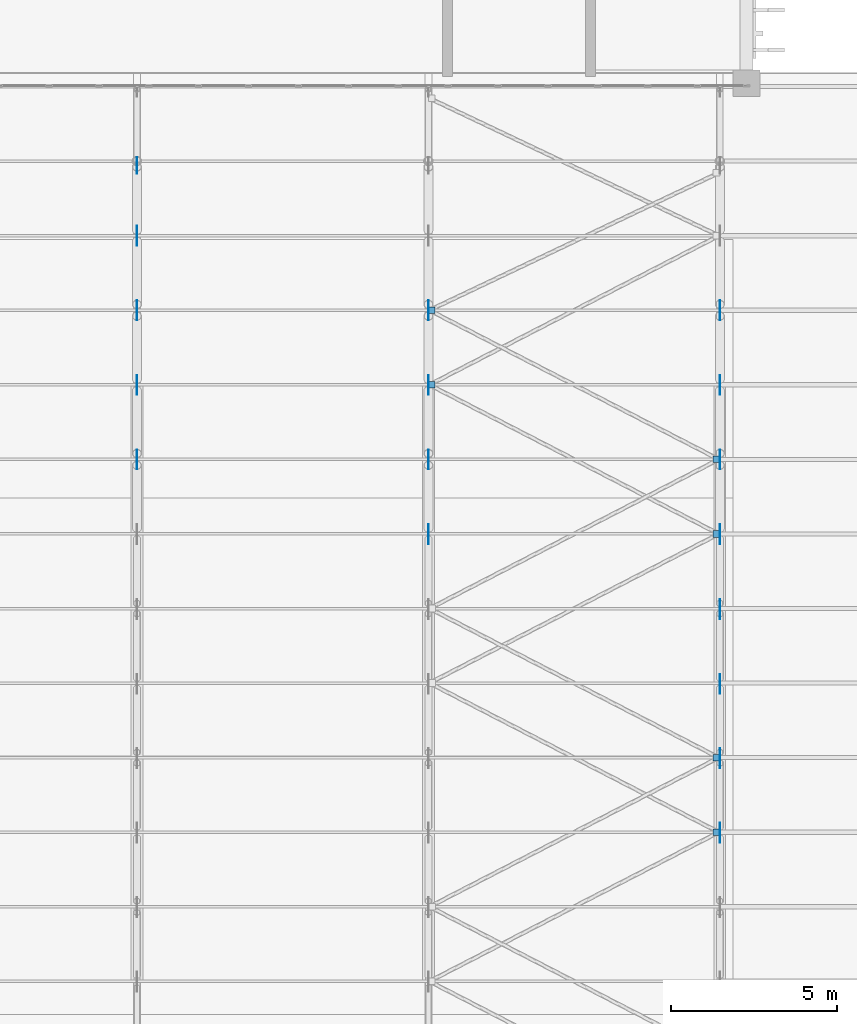
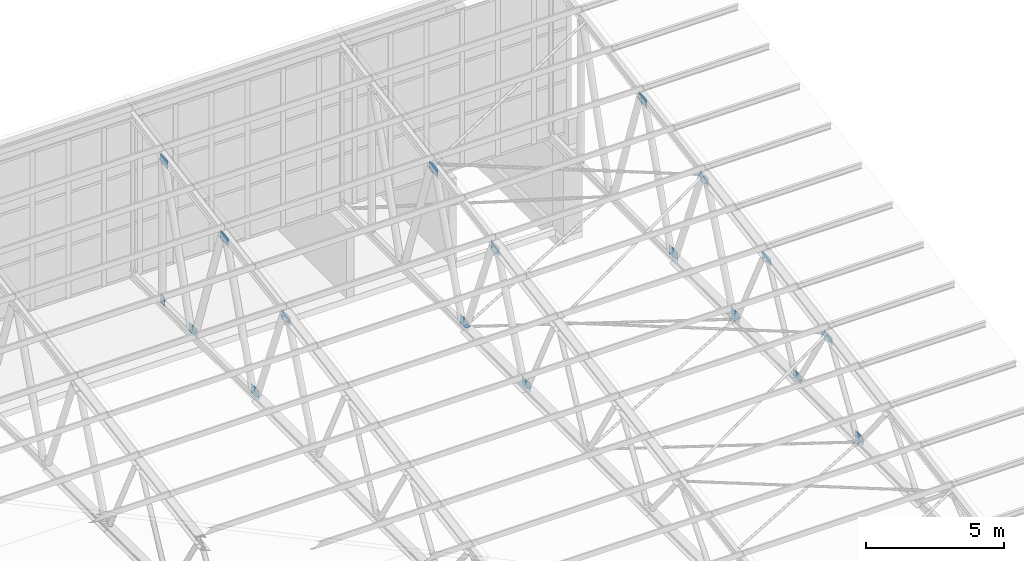
# One storey, part 155 of 185: 24 discrete accessories.
"""IFC4 building model written with IfcOpenShell, lengths in metres."""

from ifc_helpers import new_model, si_unit, direction, frame, origin, origin_2d, place, context, subcontext, project, spatial, rectangle, extrude, material, layer, layer_set, type_object, element, save


model = new_model("IFC4")

# Units and contexts
model_context = context("Model", 3, precision=1e-05, world=origin(), true_north=direction((0.0, 1.0)))
body_context = subcontext(model_context, "Body", "Model", "MODEL_VIEW")
ifc_project = project(units=[si_unit("LENGTHUNIT", "METRE"), si_unit("AREAUNIT", "SQUARE_METRE"), si_unit("VOLUMEUNIT", "CUBIC_METRE"), si_unit("PLANEANGLEUNIT", "RADIAN"), si_unit("MASSUNIT", "GRAM", prefix="KILO")], contexts=[model_context])

# Site, building, storey
site_placement = place(None, origin())
site = spatial("IfcSite", under=ifc_project, at=site_placement, CompositionType="ELEMENT")
building_placement = place(site_placement, origin())
building = spatial("IfcBuilding", under=site, at=building_placement, Name="Opaline Strait Convention Centre", CompositionType="ELEMENT")
storey_placement = place(building_placement, frame((0.0, 0.0, 6.0)))
storey = spatial("IfcBuildingStorey", under=building, at=storey_placement, Name="L01", CompositionType="ELEMENT", Elevation=6.0)

# Discrete accessories
ifc_material = material(Name="Steel Q355B", Category="steel")
ifc_layer_1 = layer(ifc_material, 0.014892578125)
ifc_layer_set_1 = layer_set([ifc_layer_1], Name="Steel Q355B")
discrete_accessory_type_1 = type_object("IfcDiscreteAccessoryType", Name="Brace gusset plate 200 x 200 x 15", PredefinedType="USERDEFINED", material=ifc_layer_set_1)
for number, where, z_axis, x_axis, name in (
    (1, (341.531982421875, 53.925048828125, 4.49267578125), (0.0, 0.0, 1.0), (1.0, 0.0, 0.0), "BNP8 roof brace gusset plate end bay 2 bottom plane"),
    (2, (350.093994140625, 40.46240234375, 4.49267578125), (0.0, 0.0, 1.0), (1.0, 0.0, 0.0), "BNP8 roof brace gusset plate end bay 2 bottom plane"),
    (3, (350.093994140625, 49.4375, 4.49267578125), (0.0, 0.0, 1.0), (1.0, 0.0, 0.0), "BNP8 roof brace gusset plate end bay 2 bottom plane"),
    (4, (341.531982421875, 56.168701171875, 10.3359375), (0.0, 0.0, 1.0), (1.0, 0.0, 0.0), "BNP8 roof brace gusset plate end bay 2 top plane"),
    (5, (350.093994140625, 42.706298828125, 7.9619140625), (0.0, 0.0, 1.0), (1.0, 0.0, 0.0), "BNP8 roof brace gusset plate end bay 2 top plane"),
    (6, (350.093994140625, 51.68115234375, 9.54443359375), (0.0, 0.0, 1.0), (1.0, 0.0, 0.0), "BNP8 roof brace gusset plate end bay 2 top plane"),
):
    element("IfcDiscreteAccessory", number, at=place(storey_placement, frame(where, z_axis=z_axis, x_axis=x_axis)), inside=storey, type_object=discrete_accessory_type_1, Name=name, ObjectType="NODE HUB", PredefinedType="USERDEFINED", context=body_context, shape_type="SweptSolid", body=[
        extrude(rectangle(XDim=0.199951171875, YDim=0.199951171875, at=origin_2d()), origin(), (0.0, 0.0, 1.0), 0.014892578125),
    ])
ifc_layer_2 = layer(ifc_material, 0.014892578125)
ifc_layer_set_2 = layer_set([ifc_layer_2], Name="Steel Q355B")
discrete_accessory_type_2 = type_object("IfcDiscreteAccessoryType", Name="Truss node plate 300 x 400 x 15", PredefinedType="USERDEFINED", material=ifc_layer_set_2)
discrete_accessory_1_placement = place(storey_placement, frame((332.656982421875, 60.626220703125, 4.4951171875), z_axis=(0.0, 0.0, 1.0), x_axis=(1.0, 0.0, 0.0)))
element("IfcDiscreteAccessory", 7, at=discrete_accessory_1_placement, inside=storey, type_object=discrete_accessory_type_2, Name="BNP4 truss node plate line 6 bottom node", ObjectType="NODE HUB", PredefinedType="USERDEFINED", context=body_context, shape_type="SweptSolid", body=[
    extrude(rectangle(XDim=0.014892578125, YDim=0.300048828125, at=origin_2d()), origin(), (0.0, 0.0, 1.0), 0.39990234375),
])
ifc_layer_3 = layer(ifc_material, 0.014892578125)
ifc_layer_set_3 = layer_set([ifc_layer_3], Name="Steel Q355B")
discrete_accessory_type_3 = type_object("IfcDiscreteAccessoryType", Name="Truss node plate 500 x 400 x 15", PredefinedType="USERDEFINED", material=ifc_layer_set_3)
discrete_accessory_2_placement = place(storey_placement, frame((332.656982421875, 60.5263671875, 10.7138671875), z_axis=(0.0, 0.0, 1.0), x_axis=(1.0, 0.0, 0.0)))
element("IfcDiscreteAccessory", 8, at=discrete_accessory_2_placement, inside=storey, type_object=discrete_accessory_type_3, Name="BNP7 truss node plate line 6 top node", ObjectType="NODE HUB", PredefinedType="USERDEFINED", context=body_context, shape_type="SweptSolid", body=[
    extrude(rectangle(XDim=0.014892578125, YDim=0.5, at=origin_2d()), origin(), (0.0, 0.0, 1.0), 0.39990234375),
])
ifc_layer_4 = layer(ifc_material, 0.014892578125)
ifc_layer_set_4 = layer_set([ifc_layer_4], Name="Steel Q355B")
discrete_accessory_type_4 = type_object("IfcDiscreteAccessoryType", Name="Truss node plate 600 x 350 x 15", PredefinedType="USERDEFINED", material=ifc_layer_set_4)
for number, where, z_axis, x_axis, name in (
    (9, (350.199951171875, 40.441650390625, 4.52001953125), (0.0, 0.0, 1.0), (1.0, 0.0, 0.0), "BNP2 truss node plate line 8 bottom node"),
    (10, (350.199951171875, 44.92236328125, 4.52001953125), (0.0, 0.0, 1.0), (1.0, 0.0, 0.0), "BNP2 truss node plate line 8 bottom node"),
    (11, (350.199951171875, 42.6845703125, 7.5927734375), (0.0, 0.0, 1.0), (1.0, 0.0, 0.0), "BNP2 truss node plate line 8 top node"),
    (12, (350.199951171875, 47.165771484375, 8.383056640625), (0.0, 0.0, 1.0), (1.0, 0.0, 0.0), "BNP2 truss node plate line 8 top node"),
):
    element("IfcDiscreteAccessory", number, at=place(storey_placement, frame(where, z_axis=z_axis, x_axis=x_axis)), inside=storey, type_object=discrete_accessory_type_4, Name=name, ObjectType="NODE HUB", PredefinedType="USERDEFINED", context=body_context, shape_type="SweptSolid", body=[
        extrude(rectangle(XDim=0.014892578125, YDim=0.60009765625, at=origin_2d()), origin(), (0.0, 0.0, 1.0), 0.35009765625),
    ])
ifc_layer_5 = layer(ifc_material, 0.014892578125)
ifc_layer_set_5 = layer_set([ifc_layer_5], Name="Steel Q355B")
discrete_accessory_type_5 = type_object("IfcDiscreteAccessoryType", Name="Truss node plate 600 x 400 x 15", PredefinedType="USERDEFINED", material=ifc_layer_set_5)
for number, where, z_axis, x_axis, name in (
    (13, (332.656982421875, 53.91943359375, 4.4951171875), (0.0, 0.0, 1.0), (1.0, 0.0, 0.0), "BNP3 truss node plate line 6 bottom node"),
    (14, (332.656982421875, 58.4052734375, 4.4951171875), (0.0, 0.0, 1.0), (1.0, 0.0, 0.0), "BNP3 truss node plate line 6 bottom node"),
    (15, (332.656982421875, 51.67822265625, 9.15380859375), (0.0, 0.0, 1.0), (1.0, 0.0, 0.0), "BNP3 truss node plate line 6 top node"),
    (16, (332.656982421875, 56.1630859375, 9.944580078125), (0.0, 0.0, 1.0), (1.0, 0.0, 0.0), "BNP3 truss node plate line 6 top node"),
    (17, (341.4287109375, 49.434814453125, 4.4951171875), (0.0, 0.0, 1.0), (1.0, 0.0, 0.0), "BNP3 truss node plate line 7 bottom node"),
    (18, (341.4287109375, 53.91943359375, 4.4951171875), (0.0, 0.0, 1.0), (1.0, 0.0, 0.0), "BNP3 truss node plate line 7 bottom node"),
    (19, (341.4287109375, 51.67822265625, 9.15380859375), (0.0, 0.0, 1.0), (1.0, 0.0, 0.0), "BNP3 truss node plate line 7 top node"),
    (20, (341.4287109375, 56.1630859375, 9.944580078125), (0.0, 0.0, 1.0), (1.0, 0.0, 0.0), "BNP3 truss node plate line 7 top node"),
    (21, (350.199951171875, 49.434814453125, 4.4951171875), (0.0, 0.0, 1.0), (1.0, 0.0, 0.0), "BNP3 truss node plate line 8 bottom node"),
    (22, (350.199951171875, 53.91943359375, 4.4951171875), (0.0, 0.0, 1.0), (1.0, 0.0, 0.0), "BNP3 truss node plate line 8 bottom node"),
    (23, (350.199951171875, 51.67822265625, 9.15380859375), (0.0, 0.0, 1.0), (1.0, 0.0, 0.0), "BNP3 truss node plate line 8 top node"),
    (24, (350.199951171875, 56.1630859375, 9.944580078125), (0.0, 0.0, 1.0), (1.0, 0.0, 0.0), "BNP3 truss node plate line 8 top node"),
):
    element("IfcDiscreteAccessory", number, at=place(storey_placement, frame(where, z_axis=z_axis, x_axis=x_axis)), inside=storey, type_object=discrete_accessory_type_5, Name=name, ObjectType="NODE HUB", PredefinedType="USERDEFINED", context=body_context, shape_type="SweptSolid", body=[
        extrude(rectangle(XDim=0.014892578125, YDim=0.60009765625, at=origin_2d()), origin(), (0.0, 0.0, 1.0), 0.39990234375),
    ])

save(model, "model.ifc")
